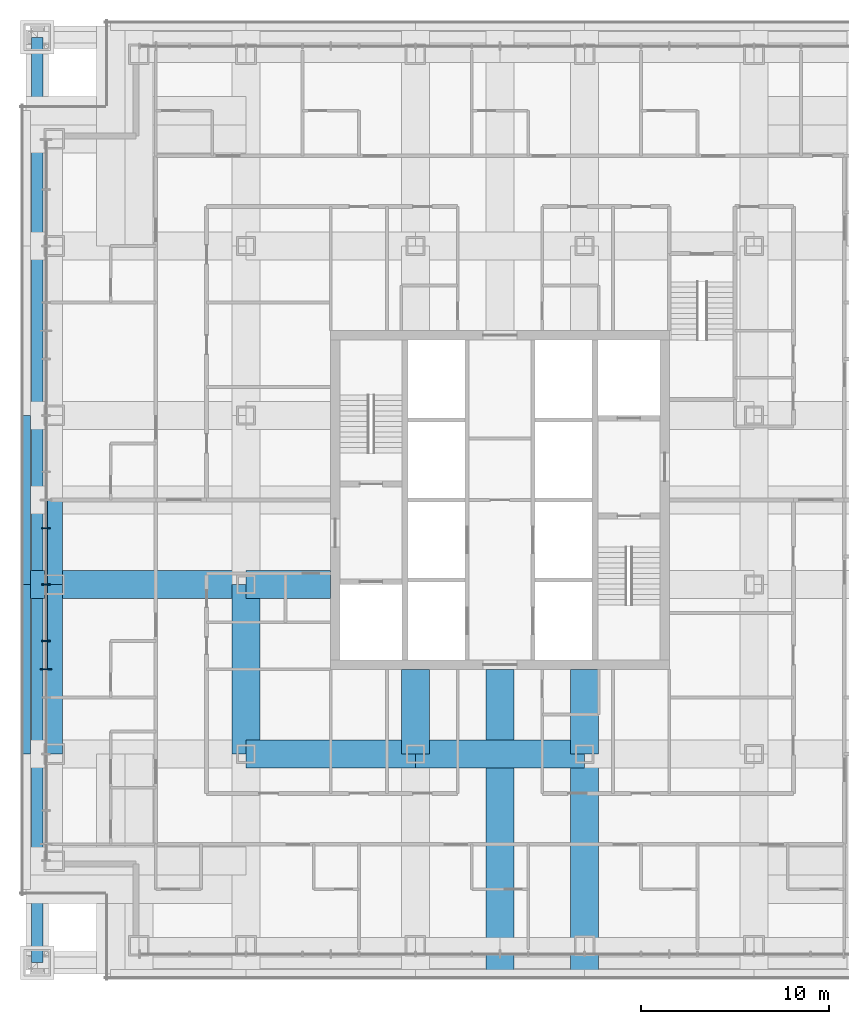
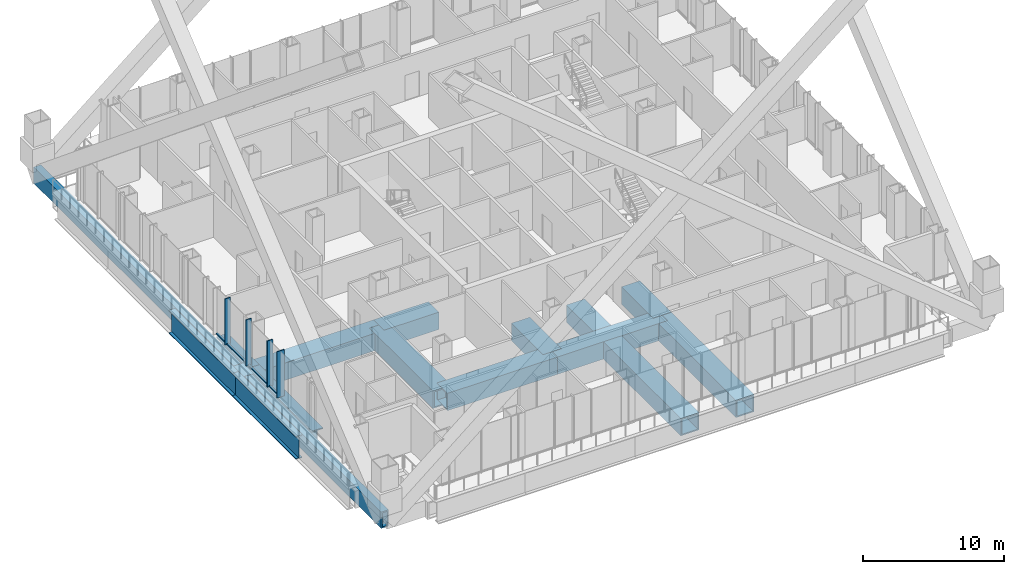
# One storey, part 4 of 20: 13 beams, 9 members, 1 element without a shape of its own.
"""IFC4 building model written with IfcOpenShell, lengths in metres."""

import ifcopenshell
import ifcopenshell.guid

model = None  # the IFC model being written
_history = None  # IfcOwnerHistory: only IFC2X3 demands one
_inside = {}  # id of a spatial element -> (the spatial element, [elements in it])
_under = {}  # id of a project, library or spatial element -> (it, [spatial elements below it])
_declared = {}  # id of a project -> (the project, [libraries it declares])
_typed = {}  # id of a type object -> (the type object, [elements of that type])
_made_of = {}  # id of a material, layer set ... -> (it, [elements and type objects made of it])


def new_model(schema):
    """Start an empty IFC model of exactly this schema.

    Asked for "IFC4X3", IfcOpenShell would pick the latest addendum, in which some entities
    have other attributes; the version numbers below select the first issue.
    IFC2X3 requires an IfcOwnerHistory on every rooted entity: one is made here for all.
    """
    global model, _history
    if schema == "IFC4X3":
        model = ifcopenshell.file(schema_version=(4, 3, 0, 0))
    else:
        model = ifcopenshell.file(schema=schema)
    _inside.clear()
    _under.clear()
    _declared.clear()
    _typed.clear()
    _made_of.clear()
    _history = None
    if model.schema == "IFC2X3":
        org = make("IfcOrganization", Name="unknown")
        user = make(
            "IfcPersonAndOrganization",
            ThePerson=make("IfcPerson", FamilyName="unknown"),
            TheOrganization=org,
        )
        app = make(
            "IfcApplication",
            ApplicationDeveloper=org,
            Version="unknown",
            ApplicationFullName="unknown",
            ApplicationIdentifier="unknown",
        )
        _history = make(
            "IfcOwnerHistory",
            OwningUser=user,
            OwningApplication=app,
            ChangeAction="ADDED",
            CreationDate=0,
        )
    return model


def make(cls, **values):
    """One entity of the class cls with the attributes given. An attribute that is None is left unset."""
    return model.create_entity(
        cls, **{name: value for name, value in values.items() if value is not None}
    )


def rooted(cls, **values):
    """An entity with a GlobalId (a new one), such as an element, a storey or a relation."""
    return make(cls, GlobalId=ifcopenshell.guid.new(), OwnerHistory=_history, **values)


def si_unit(unit_type, name, prefix=None):
    """IfcSIUnit, for example si_unit("LENGTHUNIT", "METRE", prefix="MILLI")."""
    return make("IfcSIUnit", UnitType=unit_type, Prefix=prefix, Name=name)


def assignment(units):
    """IfcUnitAssignment: the units of a project."""
    return None if units is None else make("IfcUnitAssignment", Units=units)


def point(xyz):
    """IfcCartesianPoint."""
    return None if xyz is None else make("IfcCartesianPoint", Coordinates=xyz)


def direction(xyz):
    """IfcDirection."""
    return None if xyz is None else make("IfcDirection", DirectionRatios=xyz)


def frame(location, z_axis=None, x_axis=None):
    """IfcAxis2Placement3D, a coordinate frame: its origin and axes. An axis left out is left unset."""
    return make(
        "IfcAxis2Placement3D",
        Location=point(location),
        Axis=direction(z_axis),
        RefDirection=direction(x_axis),
    )


def frame_2d(location, x_axis=None):
    """IfcAxis2Placement2D, a coordinate frame in the plane: its origin and x axis."""
    return make(
        "IfcAxis2Placement2D", Location=point(location), RefDirection=direction(x_axis)
    )


def origin():
    """The frame at (0, 0, 0) with its axes left unset."""
    return frame((0.0, 0.0, 0.0))


def origin_2d():
    """The frame at (0, 0) in the plane with its x axis left unset."""
    return frame_2d((0.0, 0.0))


def place(relative_to, where):
    """IfcLocalPlacement: puts the frame where relative to a parent placement (None: the world)."""
    return make(
        "IfcLocalPlacement", PlacementRelTo=relative_to, RelativePlacement=where
    )


def context(
    kind, dimensions, precision=None, world=None, true_north=None, identifier=None
):
    """IfcGeometricRepresentationContext, for example the 3D "Model" context."""
    return make(
        "IfcGeometricRepresentationContext",
        ContextIdentifier=identifier,
        ContextType=kind,
        CoordinateSpaceDimension=dimensions,
        Precision=precision,
        WorldCoordinateSystem=world,
        TrueNorth=true_north,
    )


def subcontext(parent, identifier, kind, view, scale=None):
    """IfcGeometricRepresentationSubContext, for example "Body" below "Model"."""
    return make(
        "IfcGeometricRepresentationSubContext",
        ContextIdentifier=identifier,
        ContextType=kind,
        ParentContext=parent,
        TargetScale=scale,
        TargetView=view,
    )


def project(units=None, contexts=None):
    """IfcProject with its units and contexts."""
    return rooted(
        "IfcProject",
        Name="project",
        RepresentationContexts=contexts,
        UnitsInContext=assignment(units),
    )


def spatial(cls, under=None, at=None, **own):
    """A site, building, storey or space (cls), placed at a placement, below another one or the project."""
    s = rooted(cls, ObjectPlacement=at, **own)
    if under is not None:
        _under.setdefault(under.id(), (under, []))[1].append(s)
    return s


def profile(cls, at=None, kind="AREA", **sizes):
    """A parametric profile (cls). Its sizes go by their IFC names, for example OverallWidth=200.0."""
    return make(cls, ProfileType=kind, Position=at, **sizes)


def rectangle(**sizes):
    """IfcRectangleProfileDef."""
    return profile("IfcRectangleProfileDef", **sizes)


def hollow_rectangle(**sizes):
    """IfcRectangleHollowProfileDef."""
    return profile("IfcRectangleHollowProfileDef", **sizes)


def i_section(**sizes):
    """IfcIShapeProfileDef."""
    return profile("IfcIShapeProfileDef", **sizes)


def extrude(swept, where, along, depth):
    """IfcExtrudedAreaSolid: the profile swept, set in the frame where, extruded along a direction by depth."""
    return make(
        "IfcExtrudedAreaSolid",
        SweptArea=swept,
        Position=where,
        ExtrudedDirection=direction(along),
        Depth=depth,
    )


def shape(context_of_items, identifier, shape_type, items):
    """IfcShapeRepresentation: the items that make up one representation, for example the "Body"."""
    return make(
        "IfcShapeRepresentation",
        ContextOfItems=context_of_items,
        RepresentationIdentifier=identifier,
        RepresentationType=shape_type,
        Items=items,
    )


def material(Name=None, Category=None):
    """IfcMaterial."""
    return make("IfcMaterial", Name=Name, Category=Category)


def layer(
    of_material, thickness, ventilated=None, Name=None, Category=None, Priority=None
):
    """IfcMaterialLayer: one layer of a wall or slab, of a material (None: an air gap)."""
    return make(
        "IfcMaterialLayer",
        Material=of_material,
        LayerThickness=thickness,
        IsVentilated=ventilated,
        Name=Name,
        Category=Category,
        Priority=Priority,
    )


def layer_set(layers, Name=None):
    """IfcMaterialLayerSet."""
    return make("IfcMaterialLayerSet", MaterialLayers=layers, LayerSetName=Name)


def material_profile(
    of_material, cross_section, Name=None, Category=None, Priority=None
):
    """IfcMaterialProfile: a cross section and its material."""
    return make(
        "IfcMaterialProfile",
        Name=Name,
        Material=of_material,
        Profile=cross_section,
        Priority=Priority,
        Category=Category,
    )


def profile_set(profiles, Name=None, composite=None):
    """IfcMaterialProfileSet."""
    return make(
        "IfcMaterialProfileSet",
        Name=Name,
        MaterialProfiles=profiles,
        CompositeProfile=composite,
    )


def made_of(thing, what):
    """Note that an element or type object is made of a material, layer set ...; save() writes the relation."""
    if what is not None:
        _made_of.setdefault(what.id(), (what, []))[1].append(thing)
    return thing


def type_object(cls, material=None, **own):
    """A type object (cls), such as IfcWallType, which elements share."""
    return made_of(rooted(cls, **own), material)


def element(
    cls,
    number,
    at=None,
    inside=None,
    cuts=None,
    type_object=None,
    material=None,
    context=None,
    identifier="Body",
    shape_type=None,
    held_by="IfcProductDefinitionShape",
    body=None,
    shapes=None,
    **own,
):
    """One element of the class cls, such as IfcWall. Its Tag is "e" and its number.

    at: its placement. inside: the storey or other place that contains it. cuts: it is an
    opening in that element (IfcRelVoidsElement). A single representation is given by context,
    identifier, shape_type and body (its items); several are given by shapes. held_by: the class
    of the entity that holds the representations. save() writes the other relations.
    """
    e = rooted(cls, Tag="e%d" % number, ObjectPlacement=at, **own)
    if body is not None:
        shapes = [shape(context, identifier, shape_type, body)]
    if shapes is not None:
        e.Representation = make(held_by, Representations=shapes)
    if inside is not None:
        _inside.setdefault(inside.id(), (inside, []))[1].append(e)
    if cuts is not None:
        rooted(
            "IfcRelVoidsElement", RelatingBuildingElement=cuts, RelatedOpeningElement=e
        )
    if type_object is not None:
        _typed.setdefault(type_object.id(), (type_object, []))[1].append(e)
    return made_of(e, material)


def aggregate(whole, parts):
    """IfcRelAggregates: a whole, such as a stair, and the parts it consists of."""
    return rooted("IfcRelAggregates", RelatingObject=whole, RelatedObjects=parts)


def save(model, path):
    """Write the relations noted so far, then the file.

    IfcRelAggregates (storeys below a building ...), IfcRelContainedInSpatialStructure (elements
    in a storey), IfcRelDefinesByType, IfcRelAssociatesMaterial and IfcRelDeclares: one each for
    every whole, place, type object, material and project.
    """
    for whole, parts in _under.values():
        aggregate(whole, parts)
    for where, things in _inside.values():
        rooted(
            "IfcRelContainedInSpatialStructure",
            RelatedElements=things,
            RelatingStructure=where,
        )
    for kind, things in _typed.values():
        rooted("IfcRelDefinesByType", RelatedObjects=things, RelatingType=kind)
    for what, things in _made_of.values():
        rooted("IfcRelAssociatesMaterial", RelatedObjects=things, RelatingMaterial=what)
    for by, libraries in _declared.values():
        rooted("IfcRelDeclares", RelatingContext=by, RelatedDefinitions=libraries)
    model.write(path)


model = new_model("IFC4")

# Units and contexts
model_context = context("Model", 3, precision=1e-05, world=origin(), true_north=direction((0.0, 1.0)))
body_context = subcontext(model_context, "Body", "Model", "MODEL_VIEW")
ifc_project = project(units=[si_unit("LENGTHUNIT", "METRE"), si_unit("AREAUNIT", "SQUARE_METRE"), si_unit("VOLUMEUNIT", "CUBIC_METRE"), si_unit("PLANEANGLEUNIT", "RADIAN"), si_unit("MASSUNIT", "GRAM", prefix="KILO")], contexts=[model_context])

# Site, building, storey
site_placement = place(None, origin())
site = spatial("IfcSite", under=ifc_project, at=site_placement, CompositionType="ELEMENT")
building_placement = place(site_placement, origin())
building = spatial("IfcBuilding", under=site, at=building_placement, Name="Malebo Sky Hospital", CompositionType="ELEMENT")
storey_placement = place(building_placement, frame((0.0, 0.0, 100.0)))
storey = spatial("IfcBuildingStorey", under=building, at=storey_placement, Name="L23", CompositionType="ELEMENT", Elevation=100.0)

# Curtain wall, members
ifc_material_1 = material(Name="Anodised aluminium, natural silver", Category="aluminium")
ifc_layer = layer(ifc_material_1, 0.25)
ifc_layer_set = layer_set([ifc_layer], Name="WARD CURTAIN WALL EAST AND WEST")
curtain_wall_type = type_object("IfcCurtainWallType", Name="WARD CURTAIN WALL EAST AND WEST", PredefinedType="NOTDEFINED", material=ifc_layer_set)
curtain_wall_placement = place(storey_placement, origin())
curtain_wall = element("IfcCurtainWall", 1, at=curtain_wall_placement, inside=storey, type_object=curtain_wall_type, Name="EW curtain wall W", PredefinedType="NOTDEFINED")
ifc_material_profile_1 = material_profile(ifc_material_1, rectangle(XDim=0.14990234375, YDim=0.10009765625, at=origin_2d()), Name="ALUMINIUM TRANSOM 150x100")
ifc_profile_set_1 = profile_set([ifc_material_profile_1], Name="Anodised aluminium, natural silver")
member_type_1 = type_object("IfcMemberType", Name="ALUMINIUM TRANSOM 150x100", PredefinedType="USERDEFINED", material=ifc_profile_set_1)
member_1_placement = place(storey_placement, frame((35.864990234375, 53.03759765625, 0.050048828125), z_axis=(0.0, 1.0, 0.0), x_axis=(-1.0, 0.0, 0.0)))
member_1 = element("IfcMember", 2, at=member_1_placement, type_object=member_type_1, Name="Transom 6", ObjectType="TRANSOM", PredefinedType="USERDEFINED", context=body_context, shape_type="SweptSolid", body=[
    extrude(rectangle(XDim=0.14990234375, YDim=0.10009765625, at=origin_2d()), origin(), (0.0, 0.0, 1.0), 1.4248046875),
])
member_2_placement = place(storey_placement, frame((35.864990234375, 54.53759765625, 0.050048828125), z_axis=(0.0, 1.0, 0.0), x_axis=(-1.0, 0.0, 0.0)))
member_2 = element("IfcMember", 3, at=member_2_placement, type_object=member_type_1, Name="Transom 7", ObjectType="TRANSOM", PredefinedType="USERDEFINED", context=body_context, shape_type="SweptSolid", body=[
    extrude(rectangle(XDim=0.14990234375, YDim=0.10009765625, at=origin_2d()), origin(), (0.0, 0.0, 1.0), 2.9248046875),
])
member_3_placement = place(storey_placement, frame((35.864990234375, 57.53759765625, 0.050048828125), z_axis=(0.0, 1.0, 0.0), x_axis=(-1.0, 0.0, 0.0)))
member_3 = element("IfcMember", 4, at=member_3_placement, type_object=member_type_1, Name="Transom 8", ObjectType="TRANSOM", PredefinedType="USERDEFINED", context=body_context, shape_type="SweptSolid", body=[
    extrude(rectangle(XDim=0.14990234375, YDim=0.10009765625, at=origin_2d()), origin(), (0.0, 0.0, 1.0), 2.9248046875),
])
member_4_placement = place(storey_placement, frame((35.864990234375, 60.53759765625, 0.050048828125), z_axis=(0.0, 1.0, 0.0), x_axis=(-1.0, 0.0, 0.0)))
member_4 = element("IfcMember", 5, at=member_4_placement, type_object=member_type_1, Name="Transom 9", ObjectType="TRANSOM", PredefinedType="USERDEFINED", context=body_context, shape_type="SweptSolid", body=[
    extrude(rectangle(XDim=0.14990234375, YDim=0.10009765625, at=origin_2d()), origin(), (0.0, 0.0, 1.0), 1.4248046875),
])
ifc_material_profile_2 = material_profile(ifc_material_1, rectangle(XDim=0.074951171875, YDim=0.449951171875, at=origin_2d()), Name="CW2 ALUMINIUM FIN MULLION 75x450")
ifc_profile_set_2 = profile_set([ifc_material_profile_2], Name="Anodised aluminium, natural silver")
member_type_2 = type_object("IfcMemberType", Name="CW2 ALUMINIUM FIN MULLION 75x450", PredefinedType="MULLION", material=ifc_profile_set_2)
member_5_placement = place(storey_placement, frame((35.864990234375, 54.5, 0.0), z_axis=(0.0, 0.0, 1.0), x_axis=(0.0, 1.0, 0.0)))
member_5 = element("IfcMember", 6, at=member_5_placement, type_object=member_type_2, Name="Fin mullion 7", PredefinedType="MULLION", context=body_context, shape_type="SweptSolid", body=[
    extrude(rectangle(XDim=0.074951171875, YDim=0.449951171875, at=origin_2d()), origin(), (0.0, 0.0, 1.0), 4.0),
])
member_6_placement = place(storey_placement, frame((35.864990234375, 57.5, 0.0), z_axis=(0.0, 0.0, 1.0), x_axis=(0.0, 1.0, 0.0)))
member_6 = element("IfcMember", 7, at=member_6_placement, type_object=member_type_2, Name="Fin mullion 8", PredefinedType="MULLION", context=body_context, shape_type="SweptSolid", body=[
    extrude(rectangle(XDim=0.074951171875, YDim=0.449951171875, at=origin_2d()), origin(), (0.0, 0.0, 1.0), 4.0),
])
member_7_placement = place(storey_placement, frame((35.864990234375, 60.5, 0.0), z_axis=(0.0, 0.0, 1.0), x_axis=(0.0, 1.0, 0.0)))
member_7 = element("IfcMember", 8, at=member_7_placement, type_object=member_type_2, Name="Fin mullion 9", PredefinedType="MULLION", context=body_context, shape_type="SweptSolid", body=[
    extrude(rectangle(XDim=0.074951171875, YDim=0.449951171875, at=origin_2d()), origin(), (0.0, 0.0, 1.0), 4.0),
])
ifc_material_profile_3 = material_profile(ifc_material_1, rectangle(XDim=0.074951171875, YDim=0.60009765625, at=origin_2d()), Name="CW2 ALUMINIUM FIN MULLION 75x600")
ifc_profile_set_3 = profile_set([ifc_material_profile_3], Name="Anodised aluminium, natural silver")
member_type_3 = type_object("IfcMemberType", Name="CW2 ALUMINIUM FIN MULLION 75x600", PredefinedType="MULLION", material=ifc_profile_set_3)
member_8_placement = place(storey_placement, frame((35.864990234375, 53.0, 0.0), z_axis=(0.0, 0.0, 1.0), x_axis=(0.0, 1.0, 0.0)))
member_8 = element("IfcMember", 9, at=member_8_placement, type_object=member_type_3, Name="Fin mullion 6", PredefinedType="MULLION", context=body_context, shape_type="SweptSolid", body=[
    extrude(rectangle(XDim=0.074951171875, YDim=0.60009765625, at=origin_2d()), origin(), (0.0, 0.0, 1.0), 4.0),
])
aggregate(curtain_wall, [member_8, member_5, member_6, member_7, member_1, member_2, member_3, member_4])

# Member
ifc_material_2 = material(Name="Steel S460", Category="steel")
ifc_material_profile_4 = material_profile(ifc_material_2, hollow_rectangle(XDim=0.60009765625, YDim=1.39990234375, WallThickness=0.10009765625, at=origin_2d()), Name="BOX 1400x600x100")
ifc_profile_set_4 = profile_set([ifc_material_profile_4], Name="Steel S460")
member_type_4 = type_object("IfcMemberType", Name="MEGA TIE BOX 1400x600x100", PredefinedType="CHORD", material=ifc_profile_set_4)
member_9_placement = place(storey_placement, frame((35.39990234375, 86.60009765625, -0.949951171875), z_axis=(0.0, -1.0, 0.0), x_axis=(1.0, 0.0, 0.0)))
element("IfcMember", 10, at=member_9_placement, inside=storey, type_object=member_type_4, Name="Mega tie BW L23", PredefinedType="CHORD", context=body_context, shape_type="SweptSolid", body=[
    extrude(hollow_rectangle(XDim=0.60009765625, YDim=1.39990234375, WallThickness=0.10009765625, at=origin_2d()), origin(), (0.0, 0.0, 1.0), 49.2001953125),
])

# Beams
ifc_material_profile_5 = material_profile(ifc_material_2, hollow_rectangle(XDim=1.5, YDim=1.5, WallThickness=0.10009765625, at=origin_2d()), Name="BOX 1500x1500x100")
ifc_profile_set_5 = profile_set([ifc_material_profile_5], Name="Steel S460")
beam_type_1 = type_object("IfcBeamType", Name="TRANSFER GIRDER BOX 1500x1500x100", PredefinedType="BEAM", material=ifc_profile_set_5)
beam_1_placement = place(storey_placement, frame((46.5, 48.5, -1.0), z_axis=(0.0, 1.0, 0.0), x_axis=(-1.0, 0.0, 0.0)))
element("IfcBeam", 11, at=beam_1_placement, inside=storey, type_object=beam_type_1, Name="Beam 011 L23", PredefinedType="BEAM", context=body_context, shape_type="SweptSolid", body=[
    extrude(hollow_rectangle(XDim=1.5, YDim=1.5, WallThickness=0.10009765625, at=origin_2d()), origin(), (0.0, 0.0, 1.0), 9.0),
])
beam_2_placement = place(storey_placement, frame((55.5, 48.5, -1.0), z_axis=(0.0, 1.0, 0.0), x_axis=(-1.0, 0.0, 0.0)))
element("IfcBeam", 12, at=beam_2_placement, inside=storey, type_object=beam_type_1, Name="Beam 016 L23", PredefinedType="BEAM", context=body_context, shape_type="SweptSolid", body=[
    extrude(hollow_rectangle(XDim=1.5, YDim=1.5, WallThickness=0.10009765625, at=origin_2d()), origin(), (0.0, 0.0, 1.0), 4.5),
])
beam_3_placement = place(storey_placement, frame((64.5, 36.800048828125, -1.0), z_axis=(0.0, 1.0, 0.0), x_axis=(-1.0, 0.0, 0.0)))
element("IfcBeam", 13, at=beam_3_placement, inside=storey, type_object=beam_type_1, Name="Beam 021 L23", PredefinedType="BEAM", context=body_context, shape_type="SweptSolid", body=[
    extrude(hollow_rectangle(XDim=1.5, YDim=1.5, WallThickness=0.10009765625, at=origin_2d()), origin(), (0.0, 0.0, 1.0), 11.699951171875),
])
beam_4_placement = place(storey_placement, frame((64.5, 48.5, -1.0), z_axis=(0.0, 1.0, 0.0), x_axis=(-1.0, 0.0, 0.0)))
element("IfcBeam", 14, at=beam_4_placement, inside=storey, type_object=beam_type_1, Name="Beam 022 L23", PredefinedType="BEAM", context=body_context, shape_type="SweptSolid", body=[
    extrude(hollow_rectangle(XDim=1.5, YDim=1.5, WallThickness=0.10009765625, at=origin_2d()), origin(), (0.0, 0.0, 1.0), 4.5),
])
for number, where, z_axis, x_axis, name in (
    (15, (46.5, 48.5, -1.0), (1.0, 0.0, 0.0), (0.0, 1.0, 0.0), "Beam 051 L23"),
    (16, (55.5, 48.5, -1.0), (1.0, 0.0, 0.0), (0.0, 1.0, 0.0), "Beam 052 L23"),
):
    element("IfcBeam", number, at=place(storey_placement, frame(where, z_axis=z_axis, x_axis=x_axis)), inside=storey, type_object=beam_type_1, Name=name, PredefinedType="BEAM", context=body_context, shape_type="SweptSolid", body=[
        extrude(hollow_rectangle(XDim=1.5, YDim=1.5, WallThickness=0.10009765625, at=origin_2d()), origin(), (0.0, 0.0, 1.0), 9.0),
    ])
beam_5_placement = place(storey_placement, frame((34.800048828125, 57.5, -1.0), z_axis=(1.0, 0.0, 0.0), x_axis=(0.0, 1.0, 0.0)))
element("IfcBeam", 17, at=beam_5_placement, inside=storey, type_object=beam_type_1, Name="Beam 055 L23", PredefinedType="BEAM", context=body_context, shape_type="SweptSolid", body=[
    extrude(hollow_rectangle(XDim=1.5, YDim=1.5, WallThickness=0.10009765625, at=origin_2d()), origin(), (0.0, 0.0, 1.0), 11.699951171875),
])
beam_6_placement = place(storey_placement, frame((46.5, 57.5, -1.0), z_axis=(1.0, 0.0, 0.0), x_axis=(0.0, 1.0, 0.0)))
element("IfcBeam", 18, at=beam_6_placement, inside=storey, type_object=beam_type_1, Name="Beam 056 L23", PredefinedType="BEAM", context=body_context, shape_type="SweptSolid", body=[
    extrude(hollow_rectangle(XDim=1.5, YDim=1.5, WallThickness=0.10009765625, at=origin_2d()), origin(), (0.0, 0.0, 1.0), 4.5),
])
beam_7_placement = place(storey_placement, frame((60.0, 36.800048828125, -1.0), z_axis=(0.0, 1.0, 0.0), x_axis=(-1.0, 0.0, 0.0)))
element("IfcBeam", 19, at=beam_7_placement, inside=storey, type_object=beam_type_1, Name="Beam 019 L23", PredefinedType="BEAM", context=body_context, shape_type="SweptSolid", body=[
    extrude(hollow_rectangle(XDim=1.5, YDim=1.5, WallThickness=0.10009765625, at=origin_2d()), origin(), (0.0, 0.0, 1.0), 16.199951171875),
])
ifc_material_3 = material(Name="Steel S355", Category="steel")
ifc_material_profile_6 = material_profile(ifc_material_3, i_section(OverallWidth=0.5, OverallDepth=2.0, WebThickness=0.0400390625, FlangeThickness=0.080078125, at=origin_2d()), Name="PG 2000x500x40x80")
ifc_profile_set_6 = profile_set([ifc_material_profile_6], Name="Steel S355")
beam_type_2 = type_object("IfcBeamType", Name="TRANSFER GIRDER PG 2000x500x40x80", PredefinedType="BEAM", material=ifc_profile_set_6)
for number, where, z_axis, x_axis, name in (
    (20, (34.800048828125, 48.5, -1.25), (0.0, 1.0, 0.0), (-1.0, 0.0, 0.0), "Beam 001 L23"),
    (21, (34.800048828125, 57.5, -1.25), (0.0, 1.0, 0.0), (-1.0, 0.0, 0.0), "Beam 002 L23"),
):
    element("IfcBeam", number, at=place(storey_placement, frame(where, z_axis=z_axis, x_axis=x_axis)), inside=storey, type_object=beam_type_2, Name=name, PredefinedType="BEAM", context=body_context, shape_type="SweptSolid", body=[
        extrude(i_section(OverallWidth=0.5, OverallDepth=2.0, WebThickness=0.0400390625, FlangeThickness=0.080078125, at=origin_2d()), origin(), (0.0, 0.0, 1.0), 9.0),
    ])
ifc_material_profile_7 = material_profile(ifc_material_3, i_section(OverallWidth=0.89990234375, OverallDepth=2.39990234375, WebThickness=0.050048828125, FlangeThickness=0.10009765625, at=origin_2d()), Name="PG 2400x900x50x100")
ifc_profile_set_7 = profile_set([ifc_material_profile_7], Name="Steel S355")
beam_type_3 = type_object("IfcBeamType", Name="TRANSFER GIRDER PG 2400x900x50x100", PredefinedType="BEAM", material=ifc_profile_set_7)
beam_8_placement = place(storey_placement, frame((36.300048828125, 48.5, -1.449951171875), z_axis=(0.0, 1.0, 0.0), x_axis=(-1.0, 0.0, 0.0)))
element("IfcBeam", 22, at=beam_8_placement, inside=storey, type_object=beam_type_3, Name="Beam 005b L23", PredefinedType="BEAM", context=body_context, shape_type="SweptSolid", body=[
    extrude(i_section(OverallWidth=0.89990234375, OverallDepth=2.39990234375, WebThickness=0.050048828125, FlangeThickness=0.10009765625, at=origin_2d()), origin(), (0.0, 0.0, 1.0), 9.0),
])
beam_9_placement = place(storey_placement, frame((36.300048828125, 57.5, -1.449951171875), z_axis=(0.0, 1.0, 0.0), x_axis=(-1.0, 0.0, 0.0)))
element("IfcBeam", 23, at=beam_9_placement, inside=storey, type_object=beam_type_3, Name="Beam 005c L23", PredefinedType="BEAM", context=body_context, shape_type="SweptSolid", body=[
    extrude(i_section(OverallWidth=0.89990234375, OverallDepth=2.39990234375, WebThickness=0.050048828125, FlangeThickness=0.10009765625, at=origin_2d()), origin(), (0.0, 0.0, 1.0), 4.5),
])

save(model, "model.ifc")
